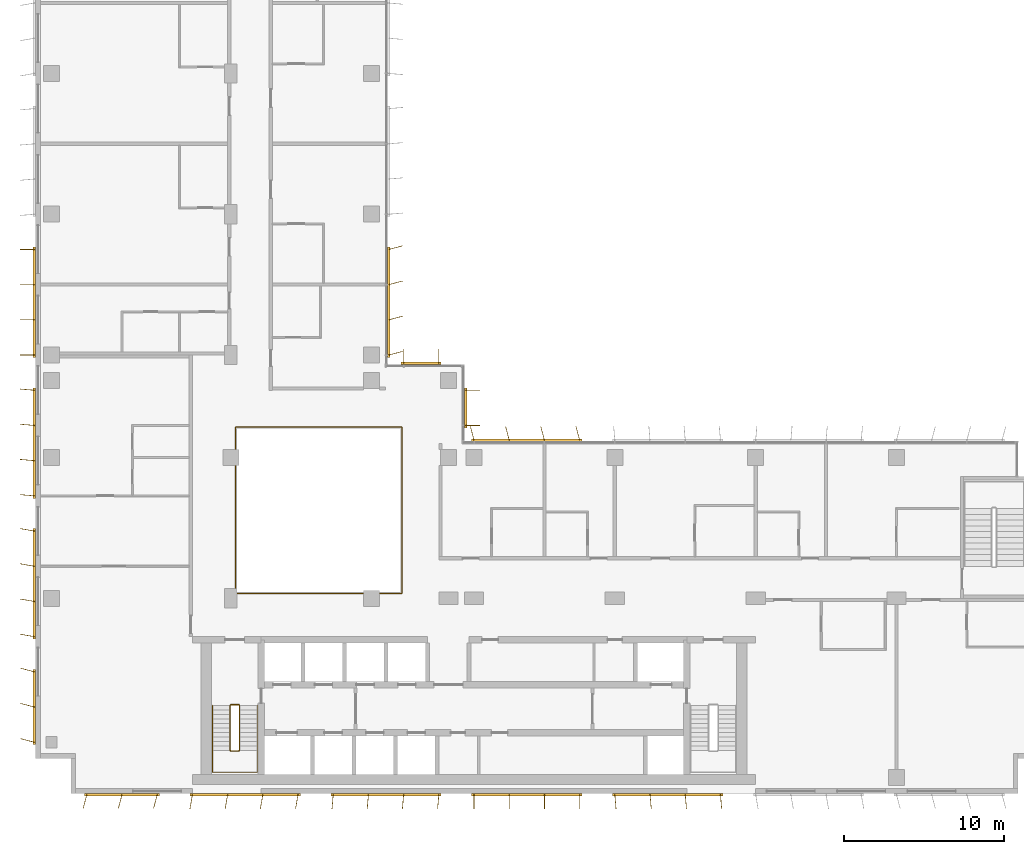
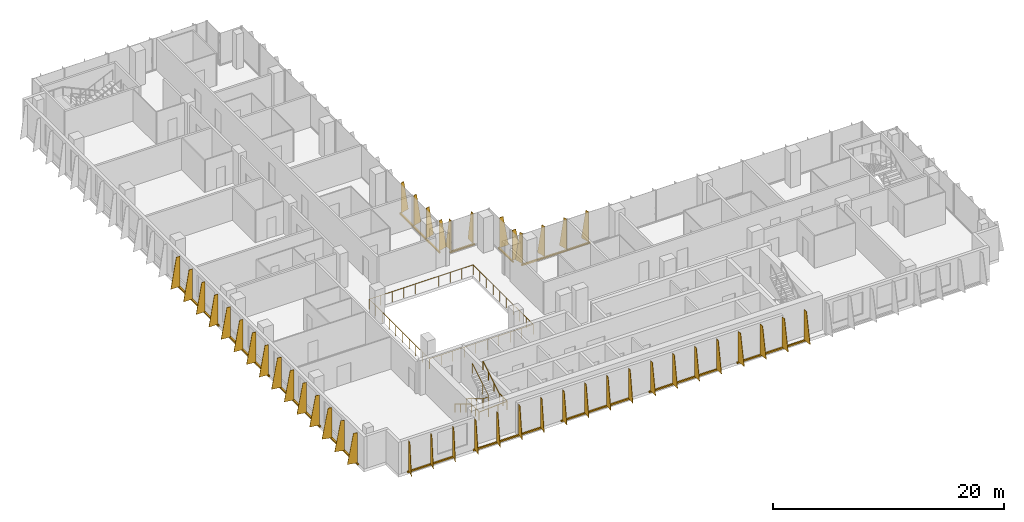
# One storey, part 18 of 20: 13 shading devices, 3 railings.
"""IFC4 building model written with IfcOpenShell, lengths in metres."""

from ifc_helpers import new_model, si_unit, direction, frame, origin, origin_2d, place, context, subcontext, project, spatial, polyline, rectangle, circle, outline, extrude, source, transform, mapped, material, layer, layer_set, type_object, element, save


model = new_model("IFC4")

# Units and contexts
model_context = context("Model", 3, precision=1e-05, world=origin(), true_north=direction((0.0, 1.0)))
body_context = subcontext(model_context, "Body", "Model", "MODEL_VIEW")
ifc_project = project(units=[si_unit("LENGTHUNIT", "METRE"), si_unit("AREAUNIT", "SQUARE_METRE"), si_unit("VOLUMEUNIT", "CUBIC_METRE"), si_unit("PLANEANGLEUNIT", "RADIAN"), si_unit("MASSUNIT", "GRAM", prefix="KILO")], contexts=[model_context])

# Site, building, storey
site_placement = place(None, origin())
site = spatial("IfcSite", under=ifc_project, at=site_placement, CompositionType="ELEMENT")
building_placement = place(site_placement, origin())
building = spatial("IfcBuilding", under=site, at=building_placement, Name="Kemantara Hotel Tower", CompositionType="ELEMENT")
storey_placement = place(building_placement, frame((0.0, 0.0, 186.39990234375)))
storey = spatial("IfcBuildingStorey", under=building, at=storey_placement, Name="L46", CompositionType="ELEMENT", Elevation=186.39990234375)

# Railings
ifc_material_1 = material(Name="Stainless steel and laminated glass balustrade", Category="steel")
railing_type_1 = type_object("IfcRailingType", Name="ATRIUM GUARD 1100", PredefinedType="GUARDRAIL", material=ifc_material_1)
railing_1_placement = place(storey_placement, frame((12.56005859375, 12.5, 0.0)))
element("IfcRailing", 1, at=railing_1_placement, inside=storey, type_object=railing_type_1, Name="ATRIUM GUARD L46", PredefinedType="GUARDRAIL", context=body_context, shape_type="SweptSolid", body=[
    extrude(circle(Radius=0.02490234375, at=origin_2d()), frame((0.0, 0.0, 1.0751953125), z_axis=(1.0, 0.0, 0.0), x_axis=(0.0, 1.0, 0.0)), (0.0, 0.0, 1.0), 10.33984375),
    extrude(circle(Radius=0.02490234375, at=origin_2d()), frame((10.33984375, 0.0, 1.0751953125), z_axis=(0.0, 1.0, 0.0), x_axis=(-1.0, 0.0, 0.0)), (0.0, 0.0, 1.0), 10.39990234375),
    extrude(circle(Radius=0.02490234375, at=origin_2d()), frame((10.33984375, 10.39990234375, 1.0751953125), z_axis=(-1.0, 0.0, 0.0), x_axis=(0.0, -1.0, 0.0)), (0.0, 0.0, 1.0), 10.39990234375),
    extrude(circle(Radius=0.02490234375, at=origin_2d()), frame((-0.06005859375, 10.39990234375, 1.0751953125), z_axis=(0.0, -1.0, 0.0), x_axis=(1.0, 0.0, 0.0)), (0.0, 0.0, 1.0), 10.39990234375),
    extrude(circle(Radius=0.02001953125, at=origin_2d()), origin(), (0.0, 0.0, 1.0), 1.050048828125),
    extrude(circle(Radius=0.02001953125, at=origin_2d()), frame((1.14892578125, 0.0, 0.0)), (0.0, 0.0, 1.0), 1.050048828125),
    extrude(circle(Radius=0.02001953125, at=origin_2d()), frame((2.2978515625, 0.0, 0.0)), (0.0, 0.0, 1.0), 1.050048828125),
    extrude(circle(Radius=0.02001953125, at=origin_2d()), frame((3.446533203125, 0.0, 0.0)), (0.0, 0.0, 1.0), 1.050048828125),
    extrude(circle(Radius=0.02001953125, at=origin_2d()), frame((4.595458984375, 0.0, 0.0)), (0.0, 0.0, 1.0), 1.050048828125),
    extrude(circle(Radius=0.02001953125, at=origin_2d()), frame((5.744384765625, 0.0, 0.0)), (0.0, 0.0, 1.0), 1.050048828125),
    extrude(circle(Radius=0.02001953125, at=origin_2d()), frame((6.893310546875, 0.0, 0.0)), (0.0, 0.0, 1.0), 1.050048828125),
    extrude(circle(Radius=0.02001953125, at=origin_2d()), frame((8.0419921875, 0.0, 0.0)), (0.0, 0.0, 1.0), 1.050048828125),
    extrude(circle(Radius=0.02001953125, at=origin_2d()), frame((9.19091796875, 0.0, 0.0)), (0.0, 0.0, 1.0), 1.050048828125),
    extrude(circle(Radius=0.02001953125, at=origin_2d()), frame((10.33984375, 0.0, 0.0)), (0.0, 0.0, 1.0), 1.050048828125),
    extrude(circle(Radius=0.02001953125, at=origin_2d()), frame((10.33984375, 1.155517578125, 0.0)), (0.0, 0.0, 1.0), 1.050048828125),
    extrude(circle(Radius=0.02001953125, at=origin_2d()), frame((10.33984375, 2.31103515625, 0.0)), (0.0, 0.0, 1.0), 1.050048828125),
    extrude(circle(Radius=0.02001953125, at=origin_2d()), frame((10.33984375, 3.466552734375, 0.0)), (0.0, 0.0, 1.0), 1.050048828125),
    extrude(circle(Radius=0.02001953125, at=origin_2d()), frame((10.33984375, 4.6220703125, 0.0)), (0.0, 0.0, 1.0), 1.050048828125),
    extrude(circle(Radius=0.02001953125, at=origin_2d()), frame((10.33984375, 5.77783203125, 0.0)), (0.0, 0.0, 1.0), 1.050048828125),
    extrude(circle(Radius=0.02001953125, at=origin_2d()), frame((10.33984375, 6.933349609375, 0.0)), (0.0, 0.0, 1.0), 1.050048828125),
    extrude(circle(Radius=0.02001953125, at=origin_2d()), frame((10.33984375, 8.0888671875, 0.0)), (0.0, 0.0, 1.0), 1.050048828125),
    extrude(circle(Radius=0.02001953125, at=origin_2d()), frame((10.33984375, 9.244384765625, 0.0)), (0.0, 0.0, 1.0), 1.050048828125),
    extrude(circle(Radius=0.02001953125, at=origin_2d()), frame((10.33984375, 10.39990234375, 0.0)), (0.0, 0.0, 1.0), 1.050048828125),
    extrude(circle(Radius=0.02001953125, at=origin_2d()), frame((9.184326171875, 10.39990234375, 0.0)), (0.0, 0.0, 1.0), 1.050048828125),
    extrude(circle(Radius=0.02001953125, at=origin_2d()), frame((8.02880859375, 10.39990234375, 0.0)), (0.0, 0.0, 1.0), 1.050048828125),
    extrude(circle(Radius=0.02001953125, at=origin_2d()), frame((6.873291015625, 10.39990234375, 0.0)), (0.0, 0.0, 1.0), 1.050048828125),
    extrude(circle(Radius=0.02001953125, at=origin_2d()), frame((5.7177734375, 10.39990234375, 0.0)), (0.0, 0.0, 1.0), 1.050048828125),
    extrude(circle(Radius=0.02001953125, at=origin_2d()), frame((4.56201171875, 10.39990234375, 0.0)), (0.0, 0.0, 1.0), 1.050048828125),
    extrude(circle(Radius=0.02001953125, at=origin_2d()), frame((3.406494140625, 10.39990234375, 0.0)), (0.0, 0.0, 1.0), 1.050048828125),
    extrude(circle(Radius=0.02001953125, at=origin_2d()), frame((2.2509765625, 10.39990234375, 0.0)), (0.0, 0.0, 1.0), 1.050048828125),
    extrude(circle(Radius=0.02001953125, at=origin_2d()), frame((1.095458984375, 10.39990234375, 0.0)), (0.0, 0.0, 1.0), 1.050048828125),
    extrude(circle(Radius=0.02001953125, at=origin_2d()), frame((-0.06005859375, 10.39990234375, 0.0)), (0.0, 0.0, 1.0), 1.050048828125),
    extrude(circle(Radius=0.02001953125, at=origin_2d()), frame((-0.06005859375, 9.244384765625, 0.0)), (0.0, 0.0, 1.0), 1.050048828125),
    extrude(circle(Radius=0.02001953125, at=origin_2d()), frame((-0.06005859375, 8.0888671875, 0.0)), (0.0, 0.0, 1.0), 1.050048828125),
    extrude(circle(Radius=0.02001953125, at=origin_2d()), frame((-0.06005859375, 6.933349609375, 0.0)), (0.0, 0.0, 1.0), 1.050048828125),
    extrude(circle(Radius=0.02001953125, at=origin_2d()), frame((-0.06005859375, 5.77783203125, 0.0)), (0.0, 0.0, 1.0), 1.050048828125),
    extrude(circle(Radius=0.02001953125, at=origin_2d()), frame((-0.06005859375, 4.6220703125, 0.0)), (0.0, 0.0, 1.0), 1.050048828125),
    extrude(circle(Radius=0.02001953125, at=origin_2d()), frame((-0.06005859375, 3.466552734375, 0.0)), (0.0, 0.0, 1.0), 1.050048828125),
    extrude(circle(Radius=0.02001953125, at=origin_2d()), frame((-0.06005859375, 2.31103515625, 0.0)), (0.0, 0.0, 1.0), 1.050048828125),
    extrude(circle(Radius=0.02001953125, at=origin_2d()), frame((-0.06005859375, 1.155517578125, 0.0)), (0.0, 0.0, 1.0), 1.050048828125),
    extrude(circle(Radius=0.02001953125, at=origin_2d()), frame((-0.06005859375, 0.0, 0.0)), (0.0, 0.0, 1.0), 1.050048828125),
])
ifc_material_2 = material(Name="Stainless steel balustrade", Category="steel")
railing_type_2 = type_object("IfcRailingType", Name="Stair guard 1100 mm", PredefinedType="GUARDRAIL", material=ifc_material_2)
railing_2_placement = place(storey_placement, frame((12.75, 5.5, 3.7001953125)))
element("IfcRailing", 2, at=railing_2_placement, inside=storey, type_object=railing_type_2, Name="L46 ST1 stair guard 1", PredefinedType="GUARDRAIL", context=body_context, shape_type="SweptSolid", body=[
    extrude(circle(Radius=0.02392578125, at=origin_2d()), frame((0.0, 0.0, 1.076171875), z_axis=(0.0, -0.857242210791, -0.514913383045), x_axis=(1.0, 0.0, 0.0)), (0.0, 0.0, 1.0), 3.266357421875),
    extrude(circle(Radius=0.02392578125, at=origin_2d()), frame((0.0, -2.800048828125, -0.60595703125), z_axis=(-0.274243871929, -0.274243871929, -0.92172696468), x_axis=(0.707106781187, -0.707106781187, 0.0)), (0.0, 0.0, 1.0), 0.1826171875),
    extrude(circle(Radius=0.02392578125, at=origin_2d()), frame((-0.050048828125, -2.85009765625, -0.77392578125), z_axis=(-1.0, 0.0, 0.0), x_axis=(0.0, -1.0, 0.0)), (0.0, 0.0, 1.0), 0.5),
    extrude(circle(Radius=0.02392578125, at=origin_2d()), frame((-0.550048828125, -2.85009765625, -0.77392578125), z_axis=(-0.707106781187, 0.707106781187, 0.0), x_axis=(-0.707106781187, -0.707106781187, 0.0)), (0.0, 0.0, 1.0), 0.07080078125),
    extrude(circle(Radius=0.02392578125, at=origin_2d()), frame((-0.60009765625, -2.800048828125, -0.77392578125), z_axis=(0.0, 0.857242210791, -0.514913383045), x_axis=(-1.0, 0.0, 0.0)), (0.0, 0.0, 1.0), 3.266357421875),
    extrude(circle(Radius=0.02392578125, at=origin_2d()), frame((-0.60009765625, 0.0, -2.4560546875), z_axis=(0.274243871929, 0.274243871929, -0.92172696468), x_axis=(-0.707106781187, 0.707106781187, 0.0)), (0.0, 0.0, 1.0), 0.1826171875),
    extrude(circle(Radius=0.02392578125, at=origin_2d()), frame((-0.550048828125, 0.050048828125, -2.6240234375), z_axis=(1.0, 0.0, 0.0), x_axis=(0.0, 1.0, 0.0)), (0.0, 0.0, 1.0), 0.5),
    extrude(circle(Radius=0.02099609375, at=origin_2d()), origin(), (0.0, 0.0, 1.0), 1.052001953125),
    extrude(circle(Radius=0.02099609375, at=origin_2d()), frame((0.0, -0.933349609375, -0.560546875)), (0.0, 0.0, 1.0), 1.052001953125),
    extrude(circle(Radius=0.02099609375, at=origin_2d()), frame((0.0, -1.86669921875, -1.121337890625)), (0.0, 0.0, 1.0), 1.052001953125),
    extrude(circle(Radius=0.02099609375, at=origin_2d()), frame((0.0, -2.800048828125, -1.681884765625)), (0.0, 0.0, 1.0), 1.052001953125),
    extrude(circle(Radius=0.02099609375, at=origin_2d()), frame((-0.050048828125, -2.85009765625, -1.85009765625)), (0.0, 0.0, 1.0), 1.052001953125),
    extrude(circle(Radius=0.02099609375, at=origin_2d()), frame((-0.550048828125, -2.85009765625, -1.85009765625)), (0.0, 0.0, 1.0), 1.052001953125),
    extrude(circle(Radius=0.02099609375, at=origin_2d()), frame((-0.60009765625, -2.800048828125, -1.85009765625)), (0.0, 0.0, 1.0), 1.052001953125),
    extrude(circle(Radius=0.02099609375, at=origin_2d()), frame((-0.60009765625, -1.86669921875, -2.41064453125)), (0.0, 0.0, 1.0), 1.052001953125),
    extrude(circle(Radius=0.02099609375, at=origin_2d()), frame((-0.60009765625, -0.933349609375, -2.971435546875)), (0.0, 0.0, 1.0), 1.052001953125),
    extrude(circle(Radius=0.02099609375, at=origin_2d()), frame((-0.60009765625, 0.0, -3.531982421875)), (0.0, 0.0, 1.0), 1.052001953125),
    extrude(circle(Radius=0.02099609375, at=origin_2d()), frame((-0.550048828125, 0.050048828125, -3.7001953125)), (0.0, 0.0, 1.0), 1.052001953125),
    extrude(circle(Radius=0.02099609375, at=origin_2d()), frame((-0.050048828125, 0.050048828125, -3.7001953125)), (0.0, 0.0, 1.0), 1.052001953125),
])
railing_type_3 = type_object("IfcRailingType", Name="Stair handrail 900 mm", PredefinedType="HANDRAIL", material=ifc_material_2)
railing_3_placement = place(storey_placement, frame((11.050048828125, 5.5, 0.168212890625)))
element("IfcRailing", 3, at=railing_3_placement, inside=storey, type_object=railing_type_3, Name="L46 ST1 stair handrail 1", PredefinedType="HANDRAIL", context=body_context, shape_type="SweptSolid", body=[
    extrude(circle(Radius=0.02392578125, at=origin_2d()), frame((0.0, 0.0, 0.8759765625), z_axis=(0.0, -0.857242210791, 0.514913383045), x_axis=(1.0, 0.0, 0.0)), (0.0, 0.0, 1.0), 3.266357421875),
    extrude(circle(Radius=0.02392578125, at=origin_2d()), frame((0.0, -2.800048828125, 2.5576171875), z_axis=(0.0, -1.0, 0.0), x_axis=(1.0, 0.0, 0.0)), (0.0, 0.0, 1.0), 1.3798828125),
    extrude(circle(Radius=0.02392578125, at=origin_2d()), frame((0.0, -4.179931640625, 2.5576171875), z_axis=(0.998200367801, 0.0, 0.059966871865), x_axis=(0.0, 1.0, 0.0)), (0.0, 0.0, 1.0), 2.80517578125),
    extrude(circle(Radius=0.02392578125, at=origin_2d()), frame((2.800048828125, -4.179931640625, 2.72607421875), z_axis=(0.0, 1.0, 0.0), x_axis=(-1.0, 0.0, 0.0)), (0.0, 0.0, 1.0), 1.3798828125),
    extrude(circle(Radius=0.02392578125, at=origin_2d()), frame((2.800048828125, -2.800048828125, 2.72607421875), z_axis=(0.0, 0.857242210791, 0.514913383045), x_axis=(-1.0, 0.0, 0.0)), (0.0, 0.0, 1.0), 3.266357421875),
    extrude(circle(Radius=0.02099609375, at=origin_2d()), origin(), (0.0, 0.0, 1.0), 0.851806640625),
    extrude(circle(Radius=0.02099609375, at=origin_2d()), frame((0.0, -0.933349609375, 0.560546875)), (0.0, 0.0, 1.0), 0.851806640625),
    extrude(circle(Radius=0.02099609375, at=origin_2d()), frame((0.0, -1.86669921875, 1.121337890625)), (0.0, 0.0, 1.0), 0.851806640625),
    extrude(circle(Radius=0.02099609375, at=origin_2d()), frame((0.0, -2.800048828125, 1.681884765625)), (0.0, 0.0, 1.0), 0.851806640625),
    extrude(circle(Radius=0.02099609375, at=origin_2d()), frame((0.0, -3.489990234375, 1.681884765625)), (0.0, 0.0, 1.0), 0.851806640625),
    extrude(circle(Radius=0.02099609375, at=origin_2d()), frame((0.0, -4.179931640625, 1.681884765625)), (0.0, 0.0, 1.0), 0.851806640625),
    extrude(circle(Radius=0.02099609375, at=origin_2d()), frame((0.933349609375, -4.179931640625, 1.738037109375)), (0.0, 0.0, 1.0), 0.851806640625),
    extrude(circle(Radius=0.02099609375, at=origin_2d()), frame((1.86669921875, -4.179931640625, 1.7939453125)), (0.0, 0.0, 1.0), 0.851806640625),
    extrude(circle(Radius=0.02099609375, at=origin_2d()), frame((2.800048828125, -4.179931640625, 1.85009765625)), (0.0, 0.0, 1.0), 0.851806640625),
    extrude(circle(Radius=0.02099609375, at=origin_2d()), frame((2.800048828125, -3.489990234375, 1.85009765625)), (0.0, 0.0, 1.0), 0.851806640625),
    extrude(circle(Radius=0.02099609375, at=origin_2d()), frame((2.800048828125, -2.800048828125, 1.85009765625)), (0.0, 0.0, 1.0), 0.851806640625),
    extrude(circle(Radius=0.02099609375, at=origin_2d()), frame((2.800048828125, -1.86669921875, 2.41064453125)), (0.0, 0.0, 1.0), 0.851806640625),
    extrude(circle(Radius=0.02099609375, at=origin_2d()), frame((2.800048828125, -0.933349609375, 2.971435546875)), (0.0, 0.0, 1.0), 0.851806640625),
    extrude(circle(Radius=0.02099609375, at=origin_2d()), frame((2.800048828125, 0.0, 3.531982421875)), (0.0, 0.0, 1.0), 0.851806640625),
])

# Shading devices
ifc_material_3 = material(Name="Perforated aluminium plate 4 mm bronze anodised", Category="aluminium")
ifc_layer_1 = layer(ifc_material_3, 0.0400390625)
ifc_layer_set_1 = layer_set([ifc_layer_1], Name="Perforated aluminium plate 4 mm bronze anodised")
shading_device_type_1 = type_object("IfcShadingDeviceType", Name="SCREEN FIN CASSETTE, 3 BLADES AT -15.0 DEG, 3200 HIGH", PredefinedType="USERDEFINED", material=ifc_layer_set_1)
shared_shape_1 = source(origin(), body_context, "Body", "SweptSolid", [
    extrude(rectangle(XDim=4.699951171875, YDim=0.14990234375, at=origin_2d()), frame((2.199951171875, -0.074951171875, -0.14990234375), z_axis=(0.0, 0.0, 1.0), x_axis=(1.0, 0.0, 0.0)), (0.0, 0.0, 1.0), 0.14990234375),
    extrude(outline(polyline([(0.0, 0.0), (0.89990234375, 0.0), (0.35009765625, 3.199951171875), (0.0, 3.199951171875), (0.0, 0.0)])), frame((0.019287109375, -0.080078125, 0.0), z_axis=(-0.966437683387, 0.256901156343, 0.0), x_axis=(-0.256901156343, -0.966437683387, 0.0)), (0.0, 0.0, 1.0), 0.039794921875),
    extrude(outline(polyline([(0.0, 0.0), (0.89990234375, 0.0), (0.35009765625, 3.199951171875), (0.0, 3.199951171875), (0.0, 0.0)])), frame((2.21923828125, -0.080078125, 0.0), z_axis=(-0.966437683387, 0.256901156343, 0.0), x_axis=(-0.256901156343, -0.966437683387, 0.0)), (0.0, 0.0, 1.0), 0.039794921875),
    extrude(outline(polyline([(0.0, 0.0), (0.89990234375, 0.0), (0.35009765625, 3.199951171875), (0.0, 3.199951171875), (0.0, 0.0)])), frame((4.41943359375, -0.080078125, 0.0), z_axis=(-0.966837822169, 0.255391122837, 0.0), x_axis=(-0.255391122837, -0.966837822169, 0.0)), (0.0, 0.0, 1.0), 0.0400390625),
])
for number, where, z_axis, x_axis, name in (
    (4, (0.0, 7.60009765625, 0.10009765625), (0.0, 0.0, 1.0), (0.0, -1.0, 0.0), "SCREEN FIN CASSETTE L46 T3-R05-7"),
    (5, (3.199951171875, 0.0, 0.10009765625), (0.0, 0.0, 1.0), (1.0, 0.0, 0.0), "SCREEN FIN CASSETTE L46 T3-R08-1"),
):
    element("IfcShadingDevice", number, at=place(storey_placement, frame(where, z_axis=z_axis, x_axis=x_axis)), inside=storey, type_object=shading_device_type_1, Name=name, ObjectType="SCREEN FIN", PredefinedType="USERDEFINED", context=body_context, shape_type="MappedRepresentation", body=[
        mapped(shared_shape_1, transform((0.0, 0.0, 0.0))),
    ])
ifc_layer_2 = layer(ifc_material_3, 0.0400390625)
ifc_layer_set_2 = layer_set([ifc_layer_2], Name="Perforated aluminium plate 4 mm bronze anodised")
shading_device_type_2 = type_object("IfcShadingDeviceType", Name="SCREEN FIN CASSETTE, 4 BLADES AT -10.0 DEG, 3200 HIGH", PredefinedType="USERDEFINED", material=ifc_layer_set_2)
shared_shape_2 = source(origin(), body_context, "Body", "SweptSolid", [
    extrude(rectangle(XDim=6.89990234375, YDim=0.14990234375, at=origin_2d()), frame((3.300048828125, -0.074951171875, -0.14990234375), z_axis=(0.0, 0.0, 1.0), x_axis=(1.0, 0.0, 0.0)), (0.0, 0.0, 1.0), 0.14990234375),
    extrude(outline(polyline([(0.0, 0.0), (0.89990234375, 0.0), (0.35009765625, 3.199951171875), (0.0, 3.199951171875), (0.0, 0.0)])), frame((0.019775390625, -0.078369140625, 0.0), z_axis=(-0.985389793052, 0.170314285219, 0.0), x_axis=(-0.170314285219, -0.985389793052, 0.0)), (0.0, 0.0, 1.0), 0.0400390625),
    extrude(outline(polyline([(0.0, 0.0), (0.89990234375, 0.0), (0.35009765625, 3.199951171875), (0.0, 3.199951171875), (0.0, 0.0)])), frame((2.2197265625, -0.078369140625, 0.0), z_axis=(-0.98521175482, 0.171341174751, 0.0), x_axis=(-0.171341174751, -0.98521175482, 0.0)), (0.0, 0.0, 1.0), 0.039794921875),
    extrude(outline(polyline([(0.0, 0.0), (0.89990234375, 0.0), (0.35009765625, 3.199951171875), (0.0, 3.199951171875), (0.0, 0.0)])), frame((4.419677734375, -0.078369140625, 0.0), z_axis=(-0.98521175482, 0.171341174751, 0.0), x_axis=(-0.171341174751, -0.98521175482, 0.0)), (0.0, 0.0, 1.0), 0.039794921875),
    extrude(outline(polyline([(0.0, 0.0), (0.89990234375, 0.0), (0.35009765625, 3.199951171875), (0.0, 3.199951171875), (0.0, 0.0)])), frame((6.61962890625, -0.078369140625, 0.0), z_axis=(-0.98521175482, 0.171341174751, 0.0), x_axis=(-0.171341174751, -0.98521175482, 0.0)), (0.0, 0.0, 1.0), 0.039794921875),
])
for number, where, z_axis, x_axis, name in (
    (6, (0.0, 16.39990234375, 0.10009765625), (0.0, 0.0, 1.0), (0.0, -1.0, 0.0), "SCREEN FIN CASSETTE L46 T3-R05-6"),
    (7, (9.800048828125, 0.0, 0.10009765625), (0.0, 0.0, 1.0), (1.0, 0.0, 0.0), "SCREEN FIN CASSETTE L46 T3-R08-2"),
):
    element("IfcShadingDevice", number, at=place(storey_placement, frame(where, z_axis=z_axis, x_axis=x_axis)), inside=storey, type_object=shading_device_type_2, Name=name, ObjectType="SCREEN FIN", PredefinedType="USERDEFINED", context=body_context, shape_type="MappedRepresentation", body=[
        mapped(shared_shape_2, transform((0.0, 0.0, 0.0))),
    ])
ifc_layer_3 = layer(ifc_material_3, 0.0400390625)
ifc_layer_set_3 = layer_set([ifc_layer_3], Name="Perforated aluminium plate 4 mm bronze anodised")
shading_device_type_3 = type_object("IfcShadingDeviceType", Name="SCREEN FIN CASSETTE, 4 BLADES AT -5.0 DEG, 3200 HIGH", PredefinedType="USERDEFINED", material=ifc_layer_set_3)
shared_shape_3 = source(origin(), body_context, "Body", "SweptSolid", [
    extrude(rectangle(XDim=6.89990234375, YDim=0.14990234375, at=origin_2d()), frame((3.300048828125, -0.074951171875, -0.14990234375), z_axis=(0.0, 0.0, 1.0), x_axis=(1.0, 0.0, 0.0)), (0.0, 0.0, 1.0), 0.14990234375),
    extrude(outline(polyline([(0.0, 0.0), (0.89990234375, 0.0), (0.35009765625, 3.199951171875), (0.0, 3.199951171875), (0.0, 0.0)])), frame((0.02001953125, -0.07666015625, 0.0), z_axis=(-0.996376129781, 0.085056498884, 0.0), x_axis=(-0.085056498884, -0.996376129781, 0.0)), (0.0, 0.0, 1.0), 0.040283203125),
    extrude(outline(polyline([(0.0, 0.0), (0.89990234375, 0.0), (0.35009765625, 3.199951171875), (0.0, 3.199951171875), (0.0, 0.0)])), frame((2.219970703125, -0.07666015625, 0.0), z_axis=(-0.996331773833, 0.085574508182, 0.0), x_axis=(-0.085574508182, -0.996331773833, 0.0)), (0.0, 0.0, 1.0), 0.0400390625),
    extrude(outline(polyline([(0.0, 0.0), (0.89990234375, 0.0), (0.35009765625, 3.199951171875), (0.0, 3.199951171875), (0.0, 0.0)])), frame((4.419921875, -0.07666015625, 0.0), z_axis=(-0.996331773833, 0.085574508182, 0.0), x_axis=(-0.085574508182, -0.996331773833, 0.0)), (0.0, 0.0, 1.0), 0.0400390625),
    extrude(outline(polyline([(0.0, 0.0), (0.89990234375, 0.0), (0.35009765625, 3.199951171875), (0.0, 3.199951171875), (0.0, 0.0)])), frame((6.619873046875, -0.07666015625, 0.0), z_axis=(-0.996331773833, 0.085574508182, 0.0), x_axis=(-0.085574508182, -0.996331773833, 0.0)), (0.0, 0.0, 1.0), 0.0400390625),
])
for number, where, z_axis, x_axis, name in (
    (8, (0.0, 25.199951171875, 0.10009765625), (0.0, 0.0, 1.0), (0.0, -1.0, 0.0), "SCREEN FIN CASSETTE L46 T3-R05-5"),
    (9, (18.60009765625, 0.0, 0.10009765625), (0.0, 0.0, 1.0), (1.0, 0.0, 0.0), "SCREEN FIN CASSETTE L46 T3-R08-3"),
):
    element("IfcShadingDevice", number, at=place(storey_placement, frame(where, z_axis=z_axis, x_axis=x_axis)), inside=storey, type_object=shading_device_type_3, Name=name, ObjectType="SCREEN FIN", PredefinedType="USERDEFINED", context=body_context, shape_type="MappedRepresentation", body=[
        mapped(shared_shape_3, transform((0.0, 0.0, 0.0))),
    ])
ifc_layer_4 = layer(ifc_material_3, 0.0400390625)
ifc_layer_set_4 = layer_set([ifc_layer_4], Name="Perforated aluminium plate 4 mm bronze anodised")
shading_device_type_4 = type_object("IfcShadingDeviceType", Name="SCREEN FIN CASSETTE, 4 BLADES AT +0.0 DEG, 3200 HIGH", PredefinedType="USERDEFINED", material=ifc_layer_set_4)
shared_shape_4 = source(origin(), body_context, "Body", "SweptSolid", [
    extrude(rectangle(XDim=6.89990234375, YDim=0.14990234375, at=origin_2d()), frame((3.300048828125, -0.074951171875, -0.14990234375), z_axis=(0.0, 0.0, 1.0), x_axis=(1.0, 0.0, 0.0)), (0.0, 0.0, 1.0), 0.14990234375),
    extrude(outline(polyline([(0.0, 0.0), (0.89990234375, 0.0), (0.35009765625, 3.199951171875), (0.0, 3.199951171875), (0.0, 0.0)])), frame((0.02001953125, -0.074951171875, 0.0), z_axis=(-1.0, 0.0, 0.0), x_axis=(0.0, -1.0, 0.0)), (0.0, 0.0, 1.0), 0.0400390625),
    extrude(outline(polyline([(0.0, 0.0), (0.89990234375, 0.0), (0.35009765625, 3.199951171875), (0.0, 3.199951171875), (0.0, 0.0)])), frame((2.219970703125, -0.074951171875, 0.0), z_axis=(-1.0, 0.0, 0.0), x_axis=(0.0, -1.0, 0.0)), (0.0, 0.0, 1.0), 0.0400390625),
    extrude(outline(polyline([(0.0, 0.0), (0.89990234375, 0.0), (0.35009765625, 3.199951171875), (0.0, 3.199951171875), (0.0, 0.0)])), frame((4.419921875, -0.074951171875, 0.0), z_axis=(-1.0, 0.0, 0.0), x_axis=(0.0, -1.0, 0.0)), (0.0, 0.0, 1.0), 0.0400390625),
    extrude(outline(polyline([(0.0, 0.0), (0.89990234375, 0.0), (0.35009765625, 3.199951171875), (0.0, 3.199951171875), (0.0, 0.0)])), frame((6.6201171875, -0.074951171875, 0.0), z_axis=(-1.0, 0.0, 0.0), x_axis=(0.0, -1.0, 0.0)), (0.0, 0.0, 1.0), 0.0400390625),
])
for number, where, z_axis, x_axis, name in (
    (10, (0.0, 34.0, 0.10009765625), (0.0, 0.0, 1.0), (0.0, -1.0, 0.0), "SCREEN FIN CASSETTE L46 T3-R05-4"),
    (11, (27.39990234375, 0.0, 0.10009765625), (0.0, 0.0, 1.0), (1.0, 0.0, 0.0), "SCREEN FIN CASSETTE L46 T3-R08-4"),
):
    element("IfcShadingDevice", number, at=place(storey_placement, frame(where, z_axis=z_axis, x_axis=x_axis)), inside=storey, type_object=shading_device_type_4, Name=name, ObjectType="SCREEN FIN", PredefinedType="USERDEFINED", context=body_context, shape_type="MappedRepresentation", body=[
        mapped(shared_shape_4, transform((0.0, 0.0, 0.0))),
    ])
ifc_layer_5 = layer(ifc_material_3, 0.0400390625)
ifc_layer_set_5 = layer_set([ifc_layer_5], Name="Perforated aluminium plate 4 mm bronze anodised")
shading_device_type_5 = type_object("IfcShadingDeviceType", Name="SCREEN FIN CASSETTE, 4 BLADES AT +5.0 DEG, 3200 HIGH", PredefinedType="USERDEFINED", material=ifc_layer_set_5)
shared_shape_5 = source(origin(), body_context, "Body", "SweptSolid", [
    extrude(rectangle(XDim=6.89990234375, YDim=0.14990234375, at=origin_2d()), frame((3.300048828125, -0.074951171875, -0.14990234375), z_axis=(0.0, 0.0, 1.0), x_axis=(1.0, 0.0, 0.0)), (0.0, 0.0, 1.0), 0.14990234375),
    extrude(outline(polyline([(0.0, 0.0), (0.89990234375, 0.0), (0.35009765625, 3.199951171875), (0.0, 3.199951171875), (0.0, 0.0)])), frame((0.02001953125, -0.0732421875, 0.0), z_axis=(-0.996376129781, -0.085056498884, 0.0), x_axis=(0.085056498884, -0.996376129781, 0.0)), (0.0, 0.0, 1.0), 0.040283203125),
    extrude(outline(polyline([(0.0, 0.0), (0.89990234375, 0.0), (0.35009765625, 3.199951171875), (0.0, 3.199951171875), (0.0, 0.0)])), frame((2.219970703125, -0.0732421875, 0.0), z_axis=(-0.996331773833, -0.085574508182, 0.0), x_axis=(0.085574508182, -0.996331773833, 0.0)), (0.0, 0.0, 1.0), 0.0400390625),
    extrude(outline(polyline([(0.0, 0.0), (0.89990234375, 0.0), (0.35009765625, 3.199951171875), (0.0, 3.199951171875), (0.0, 0.0)])), frame((4.419921875, -0.0732421875, 0.0), z_axis=(-0.996331773833, -0.085574508182, 0.0), x_axis=(0.085574508182, -0.996331773833, 0.0)), (0.0, 0.0, 1.0), 0.0400390625),
    extrude(outline(polyline([(0.0, 0.0), (0.89990234375, 0.0), (0.35009765625, 3.199951171875), (0.0, 3.199951171875), (0.0, 0.0)])), frame((6.619873046875, -0.0732421875, 0.0), z_axis=(-0.996331773833, -0.085574508182, 0.0), x_axis=(0.085574508182, -0.996331773833, 0.0)), (0.0, 0.0, 1.0), 0.0400390625),
])
shading_device_placement = place(storey_placement, frame((36.199951171875, 0.0, 0.10009765625), z_axis=(0.0, 0.0, 1.0), x_axis=(1.0, 0.0, 0.0)))
element("IfcShadingDevice", 12, at=shading_device_placement, inside=storey, type_object=shading_device_type_5, Name="SCREEN FIN CASSETTE L46 T3-R08-5", ObjectType="SCREEN FIN", PredefinedType="USERDEFINED", context=body_context, shape_type="MappedRepresentation", body=[
    mapped(shared_shape_5, transform((0.0, 0.0, 0.0))),
])
ifc_layer_6 = layer(ifc_material_3, 0.0400390625)
ifc_layer_set_6 = layer_set([ifc_layer_6], Name="Perforated aluminium plate 4 mm bronze anodised")
shading_device_type_6 = type_object("IfcShadingDeviceType", Name="SCREEN FIN CASSETTE, 4 BLADES AT +15.0 DEG, 3200 HIGH", PredefinedType="USERDEFINED", material=ifc_layer_set_6)
shared_shape_6 = source(origin(), body_context, "Body", "SweptSolid", [
    extrude(rectangle(XDim=6.89990234375, YDim=0.14990234375, at=origin_2d()), frame((3.300048828125, -0.074951171875, -0.14990234375), z_axis=(0.0, 0.0, 1.0), x_axis=(1.0, 0.0, 0.0)), (0.0, 0.0, 1.0), 0.14990234375),
    extrude(outline(polyline([(0.0, 0.0), (0.89990234375, 0.0), (0.35009765625, 3.199951171875), (0.0, 3.199951171875), (0.0, 0.0)])), frame((0.019287109375, -0.06982421875, 0.0), z_axis=(-0.966437683387, -0.256901156343, 0.0), x_axis=(0.256901156343, -0.966437683387, 0.0)), (0.0, 0.0, 1.0), 0.039794921875),
    extrude(outline(polyline([(0.0, 0.0), (0.89990234375, 0.0), (0.35009765625, 3.199951171875), (0.0, 3.199951171875), (0.0, 0.0)])), frame((2.21923828125, -0.06982421875, 0.0), z_axis=(-0.966437683387, -0.256901156343, 0.0), x_axis=(0.256901156343, -0.966437683387, 0.0)), (0.0, 0.0, 1.0), 0.039794921875),
    extrude(outline(polyline([(0.0, 0.0), (0.89990234375, 0.0), (0.35009765625, 3.199951171875), (0.0, 3.199951171875), (0.0, 0.0)])), frame((4.41943359375, -0.06982421875, 0.0), z_axis=(-0.966837822169, -0.255391122837, 0.0), x_axis=(0.255391122837, -0.966837822169, 0.0)), (0.0, 0.0, 1.0), 0.0400390625),
    extrude(outline(polyline([(0.0, 0.0), (0.89990234375, 0.0), (0.35009765625, 3.199951171875), (0.0, 3.199951171875), (0.0, 0.0)])), frame((6.619384765625, -0.06982421875, 0.0), z_axis=(-0.966837822169, -0.255391122837, 0.0), x_axis=(0.255391122837, -0.966837822169, 0.0)), (0.0, 0.0, 1.0), 0.0400390625),
])
for number, where, z_axis, x_axis, name in (
    (13, (34.0, 22.0, 0.10009765625), (0.0, 0.0, 1.0), (-1.0, 0.0, 0.0), "SCREEN FIN CASSETTE L46 T3-R14-4"),
    (14, (22.0, 27.39990234375, 0.10009765625), (0.0, 0.0, 1.0), (0.0, 1.0, 0.0), "SCREEN FIN CASSETTE L46 T3-R17-1"),
):
    element("IfcShadingDevice", number, at=place(storey_placement, frame(where, z_axis=z_axis, x_axis=x_axis)), inside=storey, type_object=shading_device_type_6, Name=name, ObjectType="SCREEN FIN", PredefinedType="USERDEFINED", context=body_context, shape_type="MappedRepresentation", body=[
        mapped(shared_shape_6, transform((0.0, 0.0, 0.0))),
    ])
ifc_layer_7 = layer(ifc_material_3, 0.0400390625)
ifc_layer_set_7 = layer_set([ifc_layer_7], Name="Perforated aluminium plate 4 mm bronze anodised")
shading_device_type_7 = type_object("IfcShadingDeviceType", Name="SCREEN FIN CASSETTE, 2 BLADES AT +0.0 DEG, 3200 HIGH", PredefinedType="USERDEFINED", material=ifc_layer_set_7)
shared_shape_7 = source(origin(), body_context, "Body", "SweptSolid", [
    extrude(rectangle(XDim=2.5, YDim=0.14990234375, at=origin_2d()), frame((1.10009765625, -0.074951171875, -0.14990234375), z_axis=(0.0, 0.0, 1.0), x_axis=(1.0, 0.0, 0.0)), (0.0, 0.0, 1.0), 0.14990234375),
    extrude(outline(polyline([(0.0, 0.0), (0.89990234375, 0.0), (0.35009765625, 3.199951171875), (0.0, 3.199951171875), (0.0, 0.0)])), frame((0.02001953125, -0.074951171875, 0.0), z_axis=(-1.0, 0.0, 0.0), x_axis=(0.0, -1.0, 0.0)), (0.0, 0.0, 1.0), 0.0400390625),
    extrude(outline(polyline([(0.0, 0.0), (0.89990234375, 0.0), (0.35009765625, 3.199951171875), (0.0, 3.199951171875), (0.0, 0.0)])), frame((2.219970703125, -0.074951171875, 0.0), z_axis=(-1.0, 0.0, 0.0), x_axis=(0.0, -1.0, 0.0)), (0.0, 0.0, 1.0), 0.0400390625),
])
for number, where, z_axis, x_axis, name in (
    (15, (26.800048828125, 23.0, 0.10009765625), (0.0, 0.0, 1.0), (0.0, 1.0, 0.0), "SCREEN FIN CASSETTE L46 T3-R15-1"),
    (16, (25.199951171875, 26.800048828125, 0.10009765625), (0.0, 0.0, 1.0), (-1.0, 0.0, 0.0), "SCREEN FIN CASSETTE L46 T3-R16-1"),
):
    element("IfcShadingDevice", number, at=place(storey_placement, frame(where, z_axis=z_axis, x_axis=x_axis)), inside=storey, type_object=shading_device_type_7, Name=name, ObjectType="SCREEN FIN", PredefinedType="USERDEFINED", context=body_context, shape_type="MappedRepresentation", body=[
        mapped(shared_shape_7, transform((0.0, 0.0, 0.0))),
    ])

save(model, "model.ifc")
